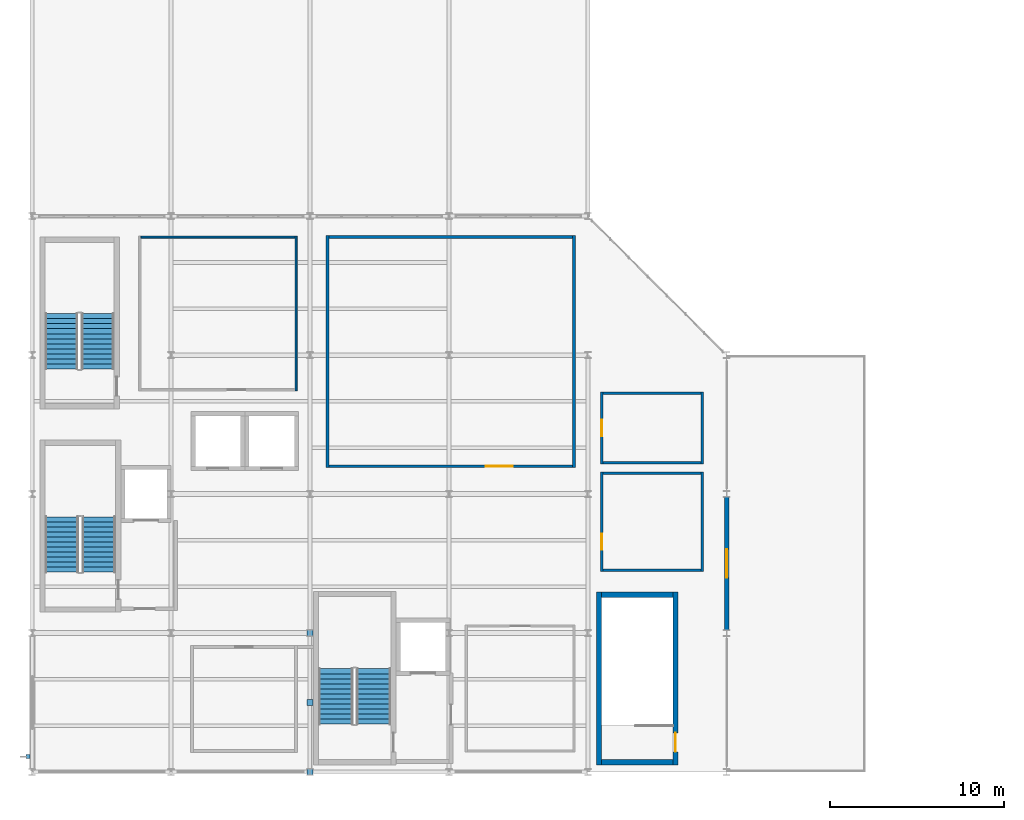
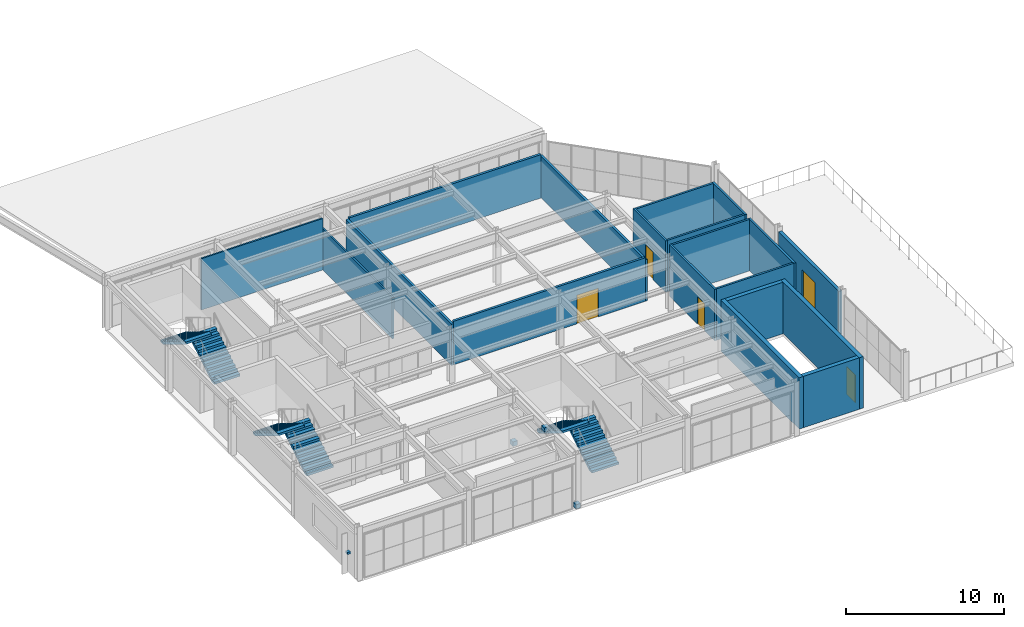
# One storey, part 21 of 27: 19 walls, 6 stair flights, 5 doors, 4 discrete accessories, 5 openings, 3 elements without a shape of their own.
"""IFC4 building model written with IfcOpenShell, lengths in metres."""

from ifc_helpers import new_model, si_unit, direction, frame, frame_2d, origin, origin_2d, place, context, subcontext, project, spatial, polyline, rectangle, outline, extrude, material, layer, layer_set, type_object, element, fill, aggregate, save


model = new_model("IFC4")

# Units and contexts
model_context = context("Model", 3, precision=1e-05, world=origin(), true_north=direction((0.0, 1.0)))
body_context = subcontext(model_context, "Body", "Model", "MODEL_VIEW")
ifc_project = project(units=[si_unit("LENGTHUNIT", "METRE"), si_unit("AREAUNIT", "SQUARE_METRE"), si_unit("VOLUMEUNIT", "CUBIC_METRE"), si_unit("PLANEANGLEUNIT", "RADIAN"), si_unit("MASSUNIT", "GRAM", prefix="KILO")], contexts=[model_context])

# Site, building, storey
site_placement = place(None, origin())
site = spatial("IfcSite", under=ifc_project, at=site_placement, CompositionType="ELEMENT")
building_placement = place(site_placement, origin())
building = spatial("IfcBuilding", under=site, at=building_placement, Name="Drelvath Fold Interchange", CompositionType="ELEMENT")
storey_placement = place(building_placement, frame((0.0, 0.0, 19.800048828125)))
storey = spatial("IfcBuildingStorey", under=building, at=storey_placement, Name="L04", CompositionType="ELEMENT", Elevation=19.800048828125)

# Wall
ifc_material_1 = material(Name="Concrete f'c 45 MPa (6500 psi)", Category="concrete")
ifc_layer_1 = layer(ifc_material_1, 0.300048828125, Name="Concrete f'c 45 MPa (6500 psi)")
ifc_layer_set_1 = layer_set([ifc_layer_1], Name="Concrete f'c 45 MPa (6500 psi)")
wall_type_1 = type_object("IfcWallType", Name="WL-CR300", PredefinedType="SHEAR", material=ifc_layer_set_1)
wall_1_placement = place(storey_placement, frame((36.800048828125, 3.550048828125, 0.0), z_axis=(0.0, 0.0, 1.0), x_axis=(1.0, 0.0, 0.0)))
element("IfcWall", 1, at=wall_1_placement, inside=storey, type_object=wall_type_1, Name="ST-04 L04 south core wall", PredefinedType="SHEAR", context=body_context, shape_type="SweptSolid", body=[
    extrude(rectangle(XDim=4.099853515625, YDim=0.300048828125, at=frame_2d((2.0498046875, 0.0))), origin(), (0.0, 0.0, 1.0), 3.97998046875),
])

# Wall, opening, door
wall_2_placement = place(storey_placement, frame((41.050048828125, 3.39990234375, 0.0), z_axis=(0.0, 0.0, 1.0), x_axis=(0.0, 1.0, 0.0)))
wall_2 = element("IfcWall", 2, at=wall_2_placement, inside=storey, type_object=wall_type_1, Name="ST-04 L04 east core wall", PredefinedType="SHEAR", context=body_context, shape_type="SweptSolid", body=[
    extrude(rectangle(XDim=9.9501953125, YDim=0.300048828125, at=frame_2d((4.97509765625, 0.0))), origin(), (0.0, 0.0, 1.0), 3.97998046875),
])
opening_1_placement = place(wall_2_placement, frame((0.75, 0.0, 0.0)))
opening_1 = element("IfcOpeningElement", 3, at=opening_1_placement, cuts=wall_2, Name="Opening D-L04-031", PredefinedType="OPENING", context=body_context, shape_type="SweptSolid", body=[
    extrude(rectangle(XDim=1.10009765625, YDim=2.14990234375, at=frame_2d((0.550048828125, 1.074951171875))), frame((0.0, 0.159912109375, 0.0), z_axis=(0.0, -1.0, 0.0), x_axis=(1.0, 0.0, 0.0)), (0.0, 0.0, 1.0), 0.320068359375),
])
ifc_material_2 = material(Name="Insulated Hollow Metal Door Assembly")
door_type_1 = type_object("IfcDoorType", Name="DR-ST1100", OperationType="NOTDEFINED", PredefinedType="DOOR", material=ifc_material_2)
door_1_placement = place(opening_1_placement, origin())
door_1 = element("IfcDoor", 4, at=door_1_placement, inside=storey, type_object=door_type_1, Name="ST-04 L04 stair fire door D-L04-031", OperationType="SINGLE_SWING_LEFT", OverallHeight=2.14990234375, OverallWidth=1.10009765625, PredefinedType="DOOR", context=body_context, shape_type="SweptSolid", body=[
    extrude(rectangle(XDim=1.10009765625, YDim=2.14990234375, at=frame_2d((0.550048828125, 1.074951171875))), frame((0.0, 0.02490234375, 0.0), z_axis=(0.0, -1.0, 0.0), x_axis=(1.0, 0.0, 0.0)), (0.0, 0.0, 1.0), 0.050048828125),
])
fill(opening_1, door_1)

# Walls
wall_3_placement = place(storey_placement, frame((40.89990234375, 13.199951171875, 0.0), z_axis=(0.0, 0.0, 1.0), x_axis=(-1.0, 0.0, 0.0)))
element("IfcWall", 5, at=wall_3_placement, inside=storey, type_object=wall_type_1, Name="ST-04 L04 north core wall", PredefinedType="SHEAR", context=body_context, shape_type="SweptSolid", body=[
    extrude(rectangle(XDim=4.099853515625, YDim=0.300048828125, at=frame_2d((2.0498046875, 0.0))), origin(), (0.0, 0.0, 1.0), 3.97998046875),
])
wall_4_placement = place(storey_placement, frame((36.64990234375, 13.35009765625, 0.0), z_axis=(0.0, 0.0, 1.0), x_axis=(0.0, -1.0, 0.0)))
element("IfcWall", 6, at=wall_4_placement, inside=storey, type_object=wall_type_1, Name="ST-04 L04 west core wall", PredefinedType="SHEAR", context=body_context, shape_type="SweptSolid", body=[
    extrude(rectangle(XDim=9.9501953125, YDim=0.300048828125, at=frame_2d((4.97509765625, 0.0))), origin(), (0.0, 0.0, 1.0), 3.97998046875),
])

# Wall, opening, door
ifc_material_3 = material(Name="Perforated Anodized Aluminium Rainscreen", Category="aluminium")
ifc_layer_2 = layer(ifc_material_3, 0.235107421875, Name="Perforated Anodized Aluminium Rainscreen")
ifc_layer_set_2 = layer_set([ifc_layer_2], Name="Perforated Anodized Aluminium Rainscreen")
wall_type_2 = type_object("IfcWallType", Name="WL-EXT235", PredefinedType="SOLIDWALL", material=ifc_layer_set_2)
wall_5_placement = place(storey_placement, frame((44.0, 11.181884765625, 0.0), z_axis=(0.0, 0.0, 1.0), x_axis=(0.0, 1.0, 0.0)))
wall_5 = element("IfcWall", 7, at=wall_5_placement, inside=storey, type_object=wall_type_2, Name="L04 exterior facade wall 79", PredefinedType="SOLIDWALL", context=body_context, shape_type="SweptSolid", body=[
    extrude(rectangle(XDim=7.63623046875, YDim=0.235107421875, at=frame_2d((3.818115234375, 0.0))), origin(), (0.0, 0.0, 1.0), 3.349853515625),
])
opening_2_placement = place(wall_5_placement, frame((2.992919921875, 0.0, 0.0)))
opening_2 = element("IfcOpeningElement", 8, at=opening_2_placement, cuts=wall_5, Name="Opening D-L04-069", PredefinedType="OPENING", context=body_context, shape_type="SweptSolid", body=[
    extrude(rectangle(XDim=1.64990234375, YDim=2.199951171875, at=frame_2d((0.824951171875, 1.10009765625))), frame((0.0, 0.12744140625, 0.0), z_axis=(0.0, -1.0, 0.0), x_axis=(1.0, 0.0, 0.0)), (0.0, 0.0, 1.0), 0.255126953125),
])
ifc_material_4 = material(Name="Anodized Aluminium Glazed Door Assembly", Category="aluminium")
door_type_2 = type_object("IfcDoorType", Name="DR-TR1650", OperationType="DOUBLE_DOOR_SINGLE_SWING", PredefinedType="DOOR", material=ifc_material_4)
door_2_placement = place(opening_2_placement, frame((1.64990234375, 0.0, 0.0), z_axis=(0.0, 0.0, 1.0), x_axis=(-1.0, 0.0, 0.0)))
door_2 = element("IfcDoor", 9, at=door_2_placement, inside=storey, type_object=door_type_2, Name="L04 outdoor terrace access door D-L04-069", OperationType="DOUBLE_DOOR_SINGLE_SWING", OverallHeight=2.199951171875, OverallWidth=1.64990234375, PredefinedType="DOOR", context=body_context, shape_type="SweptSolid", body=[
    extrude(rectangle(XDim=1.64990234375, YDim=2.199951171875, at=frame_2d((0.824951171875, 1.10009765625))), frame((0.0, 0.02490234375, 0.0), z_axis=(0.0, -1.0, 0.0), x_axis=(1.0, 0.0, 0.0)), (0.0, 0.0, 1.0), 0.050048828125),
])
fill(opening_2, door_2)

# Walls
ifc_material_5 = material(Name="Acoustic Gypsum Board Partition Assembly")
ifc_layer_3 = layer(ifc_material_5, 0.114990234375, Name="Acoustic Gypsum Board Partition Assembly")
ifc_layer_set_3 = layer_set([ifc_layer_3], Name="Acoustic Gypsum Board Partition Assembly")
wall_type_3 = type_object("IfcWallType", Name="WL-PT115", PredefinedType="PARTITIONING", material=ifc_layer_set_3)
wall_6_placement = place(storey_placement, frame((19.199951171875, 24.94189453125, 0.0), z_axis=(0.0, 0.0, 1.0), x_axis=(0.0, 1.0, 0.0)))
element("IfcWall", 10, at=wall_6_placement, inside=storey, type_object=wall_type_3, Name="Operator Duty Rest Room E partition", PredefinedType="PARTITIONING", context=body_context, shape_type="SweptSolid", body=[
    extrude(rectangle(XDim=8.9150390625, YDim=0.114990234375, at=frame_2d((4.45751953125, 0.0))), origin(), (0.0, 0.0, 1.0), 3.199951171875),
])
wall_7_placement = place(storey_placement, frame((19.14208984375, 33.800048828125, 0.0), z_axis=(0.0, 0.0, 1.0), x_axis=(-1.0, 0.0, 0.0)))
element("IfcWall", 11, at=wall_7_placement, inside=storey, type_object=wall_type_3, Name="Operator Duty Rest Room N partition", PredefinedType="PARTITIONING", context=body_context, shape_type="SweptSolid", body=[
    extrude(rectangle(XDim=8.885009765625, YDim=0.114990234375, at=frame_2d((4.4423828125, 0.0))), origin(), (0.0, 0.0, 1.0), 3.97998046875),
])
ifc_layer_4 = layer(ifc_material_5, 0.14501953125, Name="Acoustic Gypsum Board Partition Assembly")
ifc_layer_set_4 = layer_set([ifc_layer_4], Name="Acoustic Gypsum Board Partition Assembly")
wall_type_4 = type_object("IfcWallType", Name="WL-PT145", PredefinedType="PARTITIONING", material=ifc_layer_set_4)
wall_8_placement = place(storey_placement, frame((36.8720703125, 14.60009765625, 0.0), z_axis=(0.0, 0.0, 1.0), x_axis=(1.0, 0.0, 0.0)))
element("IfcWall", 12, at=wall_8_placement, inside=storey, type_object=wall_type_4, Name="Incident Command Staff Washroom S partition", PredefinedType="PARTITIONING", context=body_context, shape_type="SweptSolid", body=[
    extrude(rectangle(XDim=5.656005859375, YDim=0.14501953125, at=frame_2d((2.828125, 0.0))), origin(), (0.0, 0.0, 1.0), 3.97998046875),
])
wall_9_placement = place(storey_placement, frame((42.60009765625, 14.527099609375, 0.0), z_axis=(0.0, 0.0, 1.0), x_axis=(0.0, 1.0, 0.0)))
element("IfcWall", 13, at=wall_9_placement, inside=storey, type_object=wall_type_4, Name="Incident Command Staff Washroom E partition", PredefinedType="PARTITIONING", context=body_context, shape_type="SweptSolid", body=[
    extrude(rectangle(XDim=5.745849609375, YDim=0.14501953125, at=frame_2d((2.873046875, 0.0))), origin(), (0.0, 0.0, 1.0), 3.97998046875),
])
wall_10_placement = place(storey_placement, frame((42.528076171875, 20.199951171875, 0.0), z_axis=(0.0, 0.0, 1.0), x_axis=(-1.0, 0.0, 0.0)))
element("IfcWall", 14, at=wall_10_placement, inside=storey, type_object=wall_type_4, Name="Incident Command Staff Washroom N partition", PredefinedType="PARTITIONING", context=body_context, shape_type="SweptSolid", body=[
    extrude(rectangle(XDim=5.656005859375, YDim=0.14501953125, at=frame_2d((2.828125, 0.0))), origin(), (0.0, 0.0, 1.0), 3.97998046875),
])

# Wall, opening, door
wall_11_placement = place(storey_placement, frame((36.800048828125, 20.27294921875, 0.0), z_axis=(0.0, 0.0, 1.0), x_axis=(0.0, -1.0, 0.0)))
wall_11 = element("IfcWall", 15, at=wall_11_placement, inside=storey, type_object=wall_type_4, Name="Incident Command Staff Washroom W partition", PredefinedType="PARTITIONING", context=body_context, shape_type="SweptSolid", body=[
    extrude(rectangle(XDim=5.745849609375, YDim=0.14501953125, at=frame_2d((2.873046875, 0.0))), origin(), (0.0, 0.0, 1.0), 3.97998046875),
])
opening_3_placement = place(wall_11_placement, frame((3.56201171875, 0.0, 0.0)))
opening_3 = element("IfcOpeningElement", 16, at=opening_3_placement, cuts=wall_11, Name="Opening D-L04-136", PredefinedType="OPENING", context=body_context, shape_type="SweptSolid", body=[
    extrude(rectangle(XDim=0.919921875, YDim=2.10009765625, at=frame_2d((0.4599609375, 1.050048828125))), frame((0.0, 0.08251953125, 0.0), z_axis=(0.0, -1.0, 0.0), x_axis=(1.0, 0.0, 0.0)), (0.0, 0.0, 1.0), 0.1650390625),
])
door_type_3 = type_object("IfcDoorType", Name="DR-NR092", OperationType="NOTDEFINED", PredefinedType="DOOR", material=ifc_material_4)
door_3_placement = place(opening_3_placement, origin())
door_3 = element("IfcDoor", 17, at=door_3_placement, inside=storey, type_object=door_type_3, Name="Incident Command Staff Washroom door D-L04-136", OperationType="SINGLE_SWING_LEFT", OverallHeight=2.10009765625, OverallWidth=0.919921875, PredefinedType="DOOR", context=body_context, shape_type="SweptSolid", body=[
    extrude(rectangle(XDim=0.919921875, YDim=2.10009765625, at=frame_2d((0.4599609375, 1.050048828125))), frame((0.0, 0.02490234375, 0.0), z_axis=(0.0, -1.0, 0.0), x_axis=(1.0, 0.0, 0.0)), (0.0, 0.0, 1.0), 0.050048828125),
])
fill(opening_3, door_3)

# Walls
wall_12_placement = place(storey_placement, frame((36.8720703125, 20.800048828125, 0.0), z_axis=(0.0, 0.0, 1.0), x_axis=(1.0, 0.0, 0.0)))
element("IfcWall", 18, at=wall_12_placement, inside=storey, type_object=wall_type_4, Name="Incident Command Accessible WC S partition", PredefinedType="PARTITIONING", context=body_context, shape_type="SweptSolid", body=[
    extrude(rectangle(XDim=5.656005859375, YDim=0.14501953125, at=frame_2d((2.828125, 0.0))), origin(), (0.0, 0.0, 1.0), 3.97998046875),
])
wall_13_placement = place(storey_placement, frame((42.60009765625, 20.72705078125, 0.0), z_axis=(0.0, 0.0, 1.0), x_axis=(0.0, 1.0, 0.0)))
element("IfcWall", 19, at=wall_13_placement, inside=storey, type_object=wall_type_4, Name="Incident Command Accessible WC E partition", PredefinedType="PARTITIONING", context=body_context, shape_type="SweptSolid", body=[
    extrude(rectangle(XDim=4.14599609375, YDim=0.14501953125, at=frame_2d((2.072998046875, 0.0))), origin(), (0.0, 0.0, 1.0), 3.97998046875),
])
wall_14_placement = place(storey_placement, frame((42.528076171875, 24.800048828125, 0.0), z_axis=(0.0, 0.0, 1.0), x_axis=(-1.0, 0.0, 0.0)))
element("IfcWall", 20, at=wall_14_placement, inside=storey, type_object=wall_type_4, Name="Incident Command Accessible WC N partition", PredefinedType="PARTITIONING", context=body_context, shape_type="SweptSolid", body=[
    extrude(rectangle(XDim=5.656005859375, YDim=0.14501953125, at=frame_2d((2.828125, 0.0))), origin(), (0.0, 0.0, 1.0), 3.97998046875),
])

# Wall, opening, door
wall_15_placement = place(storey_placement, frame((36.800048828125, 24.873046875, 0.0), z_axis=(0.0, 0.0, 1.0), x_axis=(0.0, -1.0, 0.0)))
wall_15 = element("IfcWall", 21, at=wall_15_placement, inside=storey, type_object=wall_type_4, Name="Incident Command Accessible WC W partition", PredefinedType="PARTITIONING", context=body_context, shape_type="SweptSolid", body=[
    extrude(rectangle(XDim=4.14599609375, YDim=0.14501953125, at=frame_2d((2.072998046875, 0.0))), origin(), (0.0, 0.0, 1.0), 3.97998046875),
])
opening_4_placement = place(wall_15_placement, frame((1.593017578125, 0.0, 0.0)))
opening_4 = element("IfcOpeningElement", 22, at=opening_4_placement, cuts=wall_15, Name="Opening D-L04-137", PredefinedType="OPENING", context=body_context, shape_type="SweptSolid", body=[
    extrude(rectangle(XDim=0.9599609375, YDim=2.1201171875, at=frame_2d((0.47998046875, 1.06005859375))), frame((0.0, 0.08251953125, 0.0), z_axis=(0.0, -1.0, 0.0), x_axis=(1.0, 0.0, 0.0)), (0.0, 0.0, 1.0), 0.1650390625),
])
door_type_4 = type_object("IfcDoorType", Name="DR-NR096", OperationType="NOTDEFINED", PredefinedType="DOOR", material=ifc_material_4)
door_4_placement = place(opening_4_placement, frame((0.9599609375, 0.0, 0.0), z_axis=(0.0, 0.0, 1.0), x_axis=(-1.0, 0.0, 0.0)))
door_4 = element("IfcDoor", 23, at=door_4_placement, inside=storey, type_object=door_type_4, Name="Incident Command Accessible WC door D-L04-137", OperationType="SINGLE_SWING_RIGHT", OverallHeight=2.1201171875, OverallWidth=0.9599609375, PredefinedType="DOOR", context=body_context, shape_type="SweptSolid", body=[
    extrude(rectangle(XDim=0.9599609375, YDim=2.1201171875, at=frame_2d((0.47998046875, 1.06005859375))), frame((0.0, 0.02490234375, 0.0), z_axis=(0.0, -1.0, 0.0), x_axis=(1.0, 0.0, 0.0)), (0.0, 0.0, 1.0), 0.050048828125),
])
fill(opening_4, door_4)

ifc_layer_5 = layer(ifc_material_5, 0.169921875, Name="Acoustic Gypsum Board Partition Assembly")
ifc_layer_set_5 = layer_set([ifc_layer_5], Name="Acoustic Gypsum Board Partition Assembly")
wall_type_5 = type_object("IfcWallType", Name="WL-PT170", PredefinedType="PARTITIONING", material=ifc_layer_set_5)
wall_16_placement = place(storey_placement, frame((21.0849609375, 20.60009765625, 0.0), z_axis=(0.0, 0.0, 1.0), x_axis=(1.0, 0.0, 0.0)))
wall_16 = element("IfcWall", 24, at=wall_16_placement, inside=storey, type_object=wall_type_5, Name="Multi-Agency Incident Command Floor S partition", PredefinedType="PARTITIONING", context=body_context, shape_type="SweptSolid", body=[
    extrude(rectangle(XDim=14.030029296875, YDim=0.169921875, at=frame_2d((7.01513671875, 0.0))), origin(), (0.0, 0.0, 1.0), 3.364013671875),
])
opening_5_placement = place(wall_16_placement, frame((9.041015625, 0.0, 0.0)))
opening_5 = element("IfcOpeningElement", 25, at=opening_5_placement, cuts=wall_16, Name="Opening D-L04-132", PredefinedType="OPENING", context=body_context, shape_type="SweptSolid", body=[
    extrude(rectangle(XDim=1.56005859375, YDim=2.219970703125, at=frame_2d((0.780029296875, 1.10986328125))), frame((0.0, 0.094970703125, 0.0), z_axis=(0.0, -1.0, 0.0), x_axis=(1.0, 0.0, 0.0)), (0.0, 0.0, 1.0), 0.18994140625),
])
door_type_5 = type_object("IfcDoorType", Name="DR-NR156", OperationType="DOUBLE_DOOR_SINGLE_SWING", PredefinedType="DOOR", material=ifc_material_4)
door_5_placement = place(opening_5_placement, origin())
door_5 = element("IfcDoor", 26, at=door_5_placement, inside=storey, type_object=door_type_5, Name="Multi-Agency Incident Command Floor door D-L04-132", OperationType="DOUBLE_DOOR_SINGLE_SWING", OverallHeight=2.219970703125, OverallWidth=1.56005859375, PredefinedType="DOOR", context=body_context, shape_type="SweptSolid", body=[
    extrude(rectangle(XDim=1.56005859375, YDim=2.219970703125, at=frame_2d((0.780029296875, 1.10986328125))), frame((0.0, 0.02490234375, 0.0), z_axis=(0.0, -1.0, 0.0), x_axis=(1.0, 0.0, 0.0)), (0.0, 0.0, 1.0), 0.050048828125),
])
fill(opening_5, door_5)

# Walls
wall_17_placement = place(storey_placement, frame((35.199951171875, 20.514892578125, 0.0), z_axis=(0.0, 0.0, 1.0), x_axis=(0.0, 1.0, 0.0)))
element("IfcWall", 27, at=wall_17_placement, inside=storey, type_object=wall_type_5, Name="Multi-Agency Incident Command Floor E partition", PredefinedType="PARTITIONING", context=body_context, shape_type="SweptSolid", body=[
    extrude(rectangle(XDim=13.3701171875, YDim=0.169921875, at=frame_2d((6.68505859375, 0.0))), origin(), (0.0, 0.0, 1.0), 3.199951171875),
])
wall_18_placement = place(storey_placement, frame((35.114990234375, 33.800048828125, 0.0), z_axis=(0.0, 0.0, 1.0), x_axis=(-1.0, 0.0, 0.0)))
element("IfcWall", 28, at=wall_18_placement, inside=storey, type_object=wall_type_5, Name="Multi-Agency Incident Command Floor N partition", PredefinedType="PARTITIONING", context=body_context, shape_type="SweptSolid", body=[
    extrude(rectangle(XDim=14.030029296875, YDim=0.169921875, at=frame_2d((7.01513671875, 0.0))), origin(), (0.0, 0.0, 1.0), 3.364013671875),
])
wall_19_placement = place(storey_placement, frame((21.0, 33.885009765625, 0.0), z_axis=(0.0, 0.0, 1.0), x_axis=(0.0, -1.0, 0.0)))
element("IfcWall", 29, at=wall_19_placement, inside=storey, type_object=wall_type_5, Name="Multi-Agency Incident Command Floor W partition", PredefinedType="PARTITIONING", context=body_context, shape_type="SweptSolid", body=[
    extrude(rectangle(XDim=13.3701171875, YDim=0.169921875, at=frame_2d((6.68505859375, 0.0))), origin(), (0.0, 0.0, 1.0), 3.199951171875),
])

# Stair, stair flights
ifc_material_6 = material(Name="Concrete f'c 35 MPa (5000 psi)", Category="concrete")
stair_type_1 = type_object("IfcStairType", Name="STR-01", PredefinedType="HALF_TURN_STAIR", material=ifc_material_6)
stair_1_placement = place(storey_placement, origin())
stair_1 = element("IfcStair", 30, at=stair_1_placement, inside=storey, type_object=stair_type_1, Name="L04 Protected Exit Stair ST-01", PredefinedType="HALF_TURN_STAIR")
stair_flight_type_1 = type_object("IfcStairFlightType", Name="STF-01", PredefinedType="STRAIGHT", material=ifc_material_6)
stair_flight_1_placement = place(storey_placement, frame((7.844970703125, 14.5, 0.0), z_axis=(0.0, 0.0, 1.0), x_axis=(0.0, 1.0, 0.0)))
stair_flight_1 = element("IfcStairFlight", 31, at=stair_flight_1_placement, type_object=stair_flight_type_1, Name="ST-01 flight 1", NumberOfRisers=12, NumberOfTreads=11, PredefinedType="STRAIGHT", RiserHeight=0.175, TreadLength=0.29, context=body_context, shape_type="SweptSolid", body=[
    extrude(outline(polyline([(0.0, 0.0), (0.0, 0.175048828125), (0.2900390625, 0.175048828125), (0.2900390625, 0.35009765625), (0.580078125, 0.35009765625), (0.580078125, 0.52490234375), (0.8701171875, 0.52490234375), (0.8701171875, 0.699951171875), (1.159912109375, 0.699951171875), (1.159912109375, 0.875), (1.449951171875, 0.875), (1.449951171875, 1.050048828125), (1.739990234375, 1.050048828125), (1.739990234375, 1.22509765625), (2.030029296875, 1.22509765625), (2.030029296875, 1.39990234375), (2.320068359375, 1.39990234375), (2.320068359375, 1.574951171875), (2.610107421875, 1.574951171875), (2.610107421875, 1.75), (2.89990234375, 1.75), (2.89990234375, 1.925048828125), (3.18994140625, 1.925048828125), (3.18994140625, 2.10009765625), (3.18994140625, 1.75), (0.2900390625, 0.0), (0.0, 0.0)])), frame((0.0, 0.96484375, 0.0), z_axis=(0.0, -1.0, 0.0), x_axis=(1.0, 0.0, 0.0)), (0.0, 0.0, 1.0), 1.929931640625),
])
stair_flight_2_placement = place(storey_placement, frame((5.715087890625, 17.68994140625, 2.099853515625), z_axis=(0.0, 0.0, 1.0), x_axis=(0.0, -1.0, 0.0)))
stair_flight_2 = element("IfcStairFlight", 32, at=stair_flight_2_placement, type_object=stair_flight_type_1, Name="ST-01 flight 2", NumberOfRisers=12, NumberOfTreads=11, PredefinedType="STRAIGHT", RiserHeight=0.175, TreadLength=0.29, context=body_context, shape_type="SweptSolid", body=[
    extrude(outline(polyline([(0.0, 0.0), (0.0, 0.175048828125), (0.2900390625, 0.175048828125), (0.2900390625, 0.35009765625), (0.580078125, 0.35009765625), (0.580078125, 0.52490234375), (0.8701171875, 0.52490234375), (0.8701171875, 0.699951171875), (1.159912109375, 0.699951171875), (1.159912109375, 0.875), (1.449951171875, 0.875), (1.449951171875, 1.050048828125), (1.739990234375, 1.050048828125), (1.739990234375, 1.22509765625), (2.030029296875, 1.22509765625), (2.030029296875, 1.39990234375), (2.320068359375, 1.39990234375), (2.320068359375, 1.574951171875), (2.610107421875, 1.574951171875), (2.610107421875, 1.75), (2.89990234375, 1.75), (2.89990234375, 1.925048828125), (3.18994140625, 1.925048828125), (3.18994140625, 2.10009765625), (3.18994140625, 1.75), (0.2900390625, 0.0), (0.0, 0.0)])), frame((0.0, 0.96484375, 0.0), z_axis=(0.0, -1.0, 0.0), x_axis=(1.0, 0.0, 0.0)), (0.0, 0.0, 1.0), 1.929931640625),
])
aggregate(stair_1, [stair_flight_1, stair_flight_2])

stair_type_2 = type_object("IfcStairType", Name="STR-02", PredefinedType="HALF_TURN_STAIR", material=ifc_material_6)
stair_2_placement = place(storey_placement, origin())
stair_2 = element("IfcStair", 33, at=stair_2_placement, inside=storey, type_object=stair_type_2, Name="L04 Protected Exit Stair ST-02", PredefinedType="HALF_TURN_STAIR")
stair_flight_type_2 = type_object("IfcStairFlightType", Name="STF-02", PredefinedType="STRAIGHT", material=ifc_material_6)
stair_flight_3_placement = place(storey_placement, frame((7.784912109375, 26.199951171875, 0.0), z_axis=(0.0, 0.0, 1.0), x_axis=(0.0, 1.0, 0.0)))
stair_flight_3 = element("IfcStairFlight", 34, at=stair_flight_3_placement, type_object=stair_flight_type_2, Name="ST-02 flight 1", NumberOfRisers=12, NumberOfTreads=11, PredefinedType="STRAIGHT", RiserHeight=0.175, TreadLength=0.29, context=body_context, shape_type="SweptSolid", body=[
    extrude(outline(polyline([(0.0, 0.0), (0.0, 0.175048828125), (0.2900390625, 0.175048828125), (0.2900390625, 0.35009765625), (0.580078125, 0.35009765625), (0.580078125, 0.52490234375), (0.8701171875, 0.52490234375), (0.8701171875, 0.699951171875), (1.159912109375, 0.699951171875), (1.159912109375, 0.875), (1.449951171875, 0.875), (1.449951171875, 1.050048828125), (1.739990234375, 1.050048828125), (1.739990234375, 1.22509765625), (2.030029296875, 1.22509765625), (2.030029296875, 1.39990234375), (2.320068359375, 1.39990234375), (2.320068359375, 1.574951171875), (2.610107421875, 1.574951171875), (2.610107421875, 1.75), (2.89990234375, 1.75), (2.89990234375, 1.925048828125), (3.18994140625, 1.925048828125), (3.18994140625, 2.10009765625), (3.18994140625, 1.75), (0.2900390625, 0.0), (0.0, 0.0)])), frame((0.0, 0.94482421875, 0.0), z_axis=(0.0, -1.0, 0.0), x_axis=(1.0, 0.0, 0.0)), (0.0, 0.0, 1.0), 1.889892578125),
])
stair_flight_4_placement = place(storey_placement, frame((5.695068359375, 29.389892578125, 2.099853515625), z_axis=(0.0, 0.0, 1.0), x_axis=(0.0, -1.0, 0.0)))
stair_flight_4 = element("IfcStairFlight", 35, at=stair_flight_4_placement, type_object=stair_flight_type_2, Name="ST-02 flight 2", NumberOfRisers=12, NumberOfTreads=11, PredefinedType="STRAIGHT", RiserHeight=0.175, TreadLength=0.29, context=body_context, shape_type="SweptSolid", body=[
    extrude(outline(polyline([(0.0, 0.0), (0.0, 0.175048828125), (0.2900390625, 0.175048828125), (0.2900390625, 0.35009765625), (0.580078125, 0.35009765625), (0.580078125, 0.52490234375), (0.8701171875, 0.52490234375), (0.8701171875, 0.699951171875), (1.159912109375, 0.699951171875), (1.159912109375, 0.875), (1.449951171875, 0.875), (1.449951171875, 1.050048828125), (1.739990234375, 1.050048828125), (1.739990234375, 1.22509765625), (2.030029296875, 1.22509765625), (2.030029296875, 1.39990234375), (2.320068359375, 1.39990234375), (2.320068359375, 1.574951171875), (2.610107421875, 1.574951171875), (2.610107421875, 1.75), (2.89990234375, 1.75), (2.89990234375, 1.925048828125), (3.18994140625, 1.925048828125), (3.18994140625, 2.10009765625), (3.18994140625, 1.75), (0.2900390625, 0.0), (0.0, 0.0)])), frame((0.0, 0.94482421875, 0.0), z_axis=(0.0, -1.0, 0.0), x_axis=(1.0, 0.0, 0.0)), (0.0, 0.0, 1.0), 1.889892578125),
])
aggregate(stair_2, [stair_flight_3, stair_flight_4])

stair_type_3 = type_object("IfcStairType", Name="STR-03", PredefinedType="HALF_TURN_STAIR", material=ifc_material_6)
stair_3_placement = place(storey_placement, origin())
stair_3 = element("IfcStair", 36, at=stair_3_placement, inside=storey, type_object=stair_type_3, Name="L04 Protected Exit Stair ST-03", PredefinedType="HALF_TURN_STAIR")
stair_flight_type_3 = type_object("IfcStairFlightType", Name="STF-03", PredefinedType="STRAIGHT", material=ifc_material_6)
stair_flight_5_placement = place(storey_placement, frame((23.669921875, 5.75, 0.0), z_axis=(0.0, 0.0, 1.0), x_axis=(0.0, 1.0, 0.0)))
stair_flight_5 = element("IfcStairFlight", 37, at=stair_flight_5_placement, type_object=stair_flight_type_3, Name="ST-03 flight 1", NumberOfRisers=12, NumberOfTreads=11, PredefinedType="STRAIGHT", RiserHeight=0.175, TreadLength=0.29, context=body_context, shape_type="SweptSolid", body=[
    extrude(outline(polyline([(0.0, 0.0), (0.0, 0.175048828125), (0.2900390625, 0.175048828125), (0.2900390625, 0.35009765625), (0.580078125, 0.35009765625), (0.580078125, 0.52490234375), (0.8701171875, 0.52490234375), (0.8701171875, 0.699951171875), (1.159912109375, 0.699951171875), (1.159912109375, 0.875), (1.449951171875, 0.875), (1.449951171875, 1.050048828125), (1.739990234375, 1.050048828125), (1.739990234375, 1.22509765625), (2.030029296875, 1.22509765625), (2.030029296875, 1.39990234375), (2.320068359375, 1.39990234375), (2.320068359375, 1.574951171875), (2.610107421875, 1.574951171875), (2.610107421875, 1.75), (2.89990234375, 1.75), (2.89990234375, 1.925048828125), (3.18994140625, 1.925048828125), (3.18994140625, 2.10009765625), (3.18994140625, 1.75), (0.2900390625, 0.0), (0.0, 0.0)])), frame((0.0, 0.989990234375, 0.0), z_axis=(0.0, -1.0, 0.0), x_axis=(1.0, 0.0, 0.0)), (0.0, 0.0, 1.0), 1.97998046875),
])
stair_flight_6_placement = place(storey_placement, frame((21.489990234375, 8.93994140625, 2.099853515625), z_axis=(0.0, 0.0, 1.0), x_axis=(0.0, -1.0, 0.0)))
stair_flight_6 = element("IfcStairFlight", 38, at=stair_flight_6_placement, type_object=stair_flight_type_3, Name="ST-03 flight 2", NumberOfRisers=12, NumberOfTreads=11, PredefinedType="STRAIGHT", RiserHeight=0.175, TreadLength=0.29, context=body_context, shape_type="SweptSolid", body=[
    extrude(outline(polyline([(0.0, 0.0), (0.0, 0.175048828125), (0.2900390625, 0.175048828125), (0.2900390625, 0.35009765625), (0.580078125, 0.35009765625), (0.580078125, 0.52490234375), (0.8701171875, 0.52490234375), (0.8701171875, 0.699951171875), (1.159912109375, 0.699951171875), (1.159912109375, 0.875), (1.449951171875, 0.875), (1.449951171875, 1.050048828125), (1.739990234375, 1.050048828125), (1.739990234375, 1.22509765625), (2.030029296875, 1.22509765625), (2.030029296875, 1.39990234375), (2.320068359375, 1.39990234375), (2.320068359375, 1.574951171875), (2.610107421875, 1.574951171875), (2.610107421875, 1.75), (2.89990234375, 1.75), (2.89990234375, 1.925048828125), (3.18994140625, 1.925048828125), (3.18994140625, 2.10009765625), (3.18994140625, 1.75), (0.2900390625, 0.0), (0.0, 0.0)])), frame((0.0, 0.989990234375, 0.0), z_axis=(0.0, -1.0, 0.0), x_axis=(1.0, 0.0, 0.0)), (0.0, 0.0, 1.0), 1.97998046875),
])
aggregate(stair_3, [stair_flight_5, stair_flight_6])

# Discrete accessories
ifc_material_7 = material(Name="Stainless Steel 316L", Category="steel")
discrete_accessory_type_1 = type_object("IfcDiscreteAccessoryType", Name="AC-BRK220", PredefinedType="BRACKET", material=ifc_material_7)
discrete_accessory_placement = place(storey_placement, frame((3.762939453125, 3.882080078125, 1.56982421875), z_axis=(0.0, 0.0, 1.0), x_axis=(1.0, 0.0, 0.0)))
element("IfcDiscreteAccessory", 39, at=discrete_accessory_placement, inside=storey, type_object=discrete_accessory_type_1, Name="Solar fin bracket 32", PredefinedType="BRACKET", context=body_context, shape_type="SweptSolid", body=[
    extrude(rectangle(XDim=0.239990234375, YDim=0.239990234375, at=origin_2d()), origin(), (0.0, 0.0, 1.0), 0.159912109375),
])
ifc_material_8 = material(Name="Steel ASTM A572 Grade 50", Category="steel")
discrete_accessory_type_2 = type_object("IfcDiscreteAccessoryType", Name="AC-CAP380", PredefinedType="BRACKET", material=ifc_material_8)
for number, where, z_axis, x_axis, name in (
    (40, (20.0, 2.99609375, -0.0146484375), (0.0, 0.0, 1.0), (1.0, 0.0, 0.0), "Welded hollow member end cap 545"),
    (41, (20.0, 7.00390625, 3.50830078125), (0.0, 0.0, 1.0), (1.0, 0.0, 0.0), "Welded hollow member end cap 546"),
    (42, (20.0, 11.00390625, -0.0146484375), (0.0, 0.0, 1.0), (1.0, 0.0, 0.0), "Welded hollow member end cap 547"),
):
    element("IfcDiscreteAccessory", number, at=place(storey_placement, frame(where, z_axis=z_axis, x_axis=x_axis)), inside=storey, type_object=discrete_accessory_type_2, Name=name, PredefinedType="BRACKET", context=body_context, shape_type="SweptSolid", body=[
        extrude(rectangle(XDim=0.343017578125, YDim=0.343017578125, at=origin_2d()), origin(), (0.0, 0.0, 1.0), 0.343017578125),
    ])

save(model, "model.ifc")
